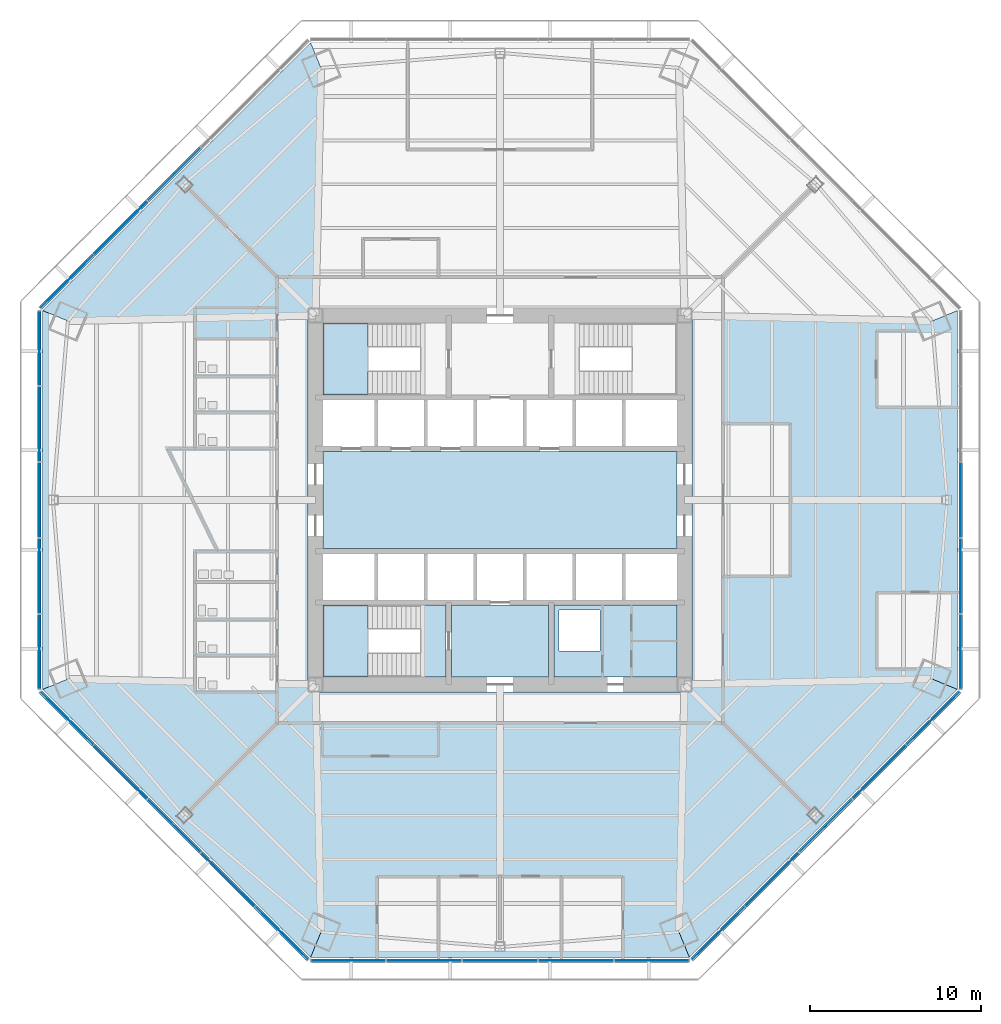
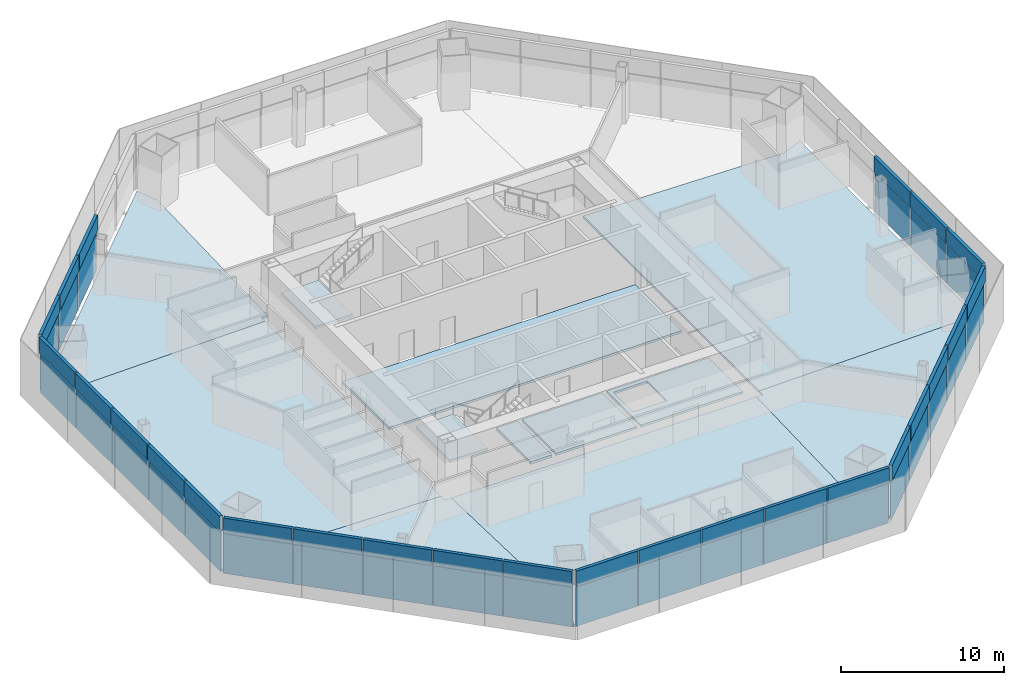
# One storey, part 7 of 15: 52 plates, 12 slabs, 8 elements without a shape of their own.
"""IFC4 building model written with IfcOpenShell, lengths in metres."""

import ifcopenshell
import ifcopenshell.guid

model = None  # the IFC model being written
_history = None  # IfcOwnerHistory: only IFC2X3 demands one
_inside = {}  # id of a spatial element -> (the spatial element, [elements in it])
_under = {}  # id of a project, library or spatial element -> (it, [spatial elements below it])
_declared = {}  # id of a project -> (the project, [libraries it declares])
_typed = {}  # id of a type object -> (the type object, [elements of that type])
_made_of = {}  # id of a material, layer set ... -> (it, [elements and type objects made of it])


def new_model(schema):
    """Start an empty IFC model of exactly this schema.

    Asked for "IFC4X3", IfcOpenShell would pick the latest addendum, in which some entities
    have other attributes; the version numbers below select the first issue.
    IFC2X3 requires an IfcOwnerHistory on every rooted entity: one is made here for all.
    """
    global model, _history
    if schema == "IFC4X3":
        model = ifcopenshell.file(schema_version=(4, 3, 0, 0))
    else:
        model = ifcopenshell.file(schema=schema)
    _inside.clear()
    _under.clear()
    _declared.clear()
    _typed.clear()
    _made_of.clear()
    _history = None
    if model.schema == "IFC2X3":
        org = make("IfcOrganization", Name="unknown")
        user = make(
            "IfcPersonAndOrganization",
            ThePerson=make("IfcPerson", FamilyName="unknown"),
            TheOrganization=org,
        )
        app = make(
            "IfcApplication",
            ApplicationDeveloper=org,
            Version="unknown",
            ApplicationFullName="unknown",
            ApplicationIdentifier="unknown",
        )
        _history = make(
            "IfcOwnerHistory",
            OwningUser=user,
            OwningApplication=app,
            ChangeAction="ADDED",
            CreationDate=0,
        )
    return model


def make(cls, **values):
    """One entity of the class cls with the attributes given. An attribute that is None is left unset."""
    return model.create_entity(
        cls, **{name: value for name, value in values.items() if value is not None}
    )


def rooted(cls, **values):
    """An entity with a GlobalId (a new one), such as an element, a storey or a relation."""
    return make(cls, GlobalId=ifcopenshell.guid.new(), OwnerHistory=_history, **values)


def si_unit(unit_type, name, prefix=None):
    """IfcSIUnit, for example si_unit("LENGTHUNIT", "METRE", prefix="MILLI")."""
    return make("IfcSIUnit", UnitType=unit_type, Prefix=prefix, Name=name)


def assignment(units):
    """IfcUnitAssignment: the units of a project."""
    return None if units is None else make("IfcUnitAssignment", Units=units)


def point(xyz):
    """IfcCartesianPoint."""
    return None if xyz is None else make("IfcCartesianPoint", Coordinates=xyz)


def direction(xyz):
    """IfcDirection."""
    return None if xyz is None else make("IfcDirection", DirectionRatios=xyz)


def frame(location, z_axis=None, x_axis=None):
    """IfcAxis2Placement3D, a coordinate frame: its origin and axes. An axis left out is left unset."""
    return make(
        "IfcAxis2Placement3D",
        Location=point(location),
        Axis=direction(z_axis),
        RefDirection=direction(x_axis),
    )


def frame_2d(location, x_axis=None):
    """IfcAxis2Placement2D, a coordinate frame in the plane: its origin and x axis."""
    return make(
        "IfcAxis2Placement2D", Location=point(location), RefDirection=direction(x_axis)
    )


def origin():
    """The frame at (0, 0, 0) with its axes left unset."""
    return frame((0.0, 0.0, 0.0))


def origin_2d():
    """The frame at (0, 0) in the plane with its x axis left unset."""
    return frame_2d((0.0, 0.0))


def place(relative_to, where):
    """IfcLocalPlacement: puts the frame where relative to a parent placement (None: the world)."""
    return make(
        "IfcLocalPlacement", PlacementRelTo=relative_to, RelativePlacement=where
    )


def context(
    kind, dimensions, precision=None, world=None, true_north=None, identifier=None
):
    """IfcGeometricRepresentationContext, for example the 3D "Model" context."""
    return make(
        "IfcGeometricRepresentationContext",
        ContextIdentifier=identifier,
        ContextType=kind,
        CoordinateSpaceDimension=dimensions,
        Precision=precision,
        WorldCoordinateSystem=world,
        TrueNorth=true_north,
    )


def subcontext(parent, identifier, kind, view, scale=None):
    """IfcGeometricRepresentationSubContext, for example "Body" below "Model"."""
    return make(
        "IfcGeometricRepresentationSubContext",
        ContextIdentifier=identifier,
        ContextType=kind,
        ParentContext=parent,
        TargetScale=scale,
        TargetView=view,
    )


def project(units=None, contexts=None):
    """IfcProject with its units and contexts."""
    return rooted(
        "IfcProject",
        Name="project",
        RepresentationContexts=contexts,
        UnitsInContext=assignment(units),
    )


def spatial(cls, under=None, at=None, **own):
    """A site, building, storey or space (cls), placed at a placement, below another one or the project."""
    s = rooted(cls, ObjectPlacement=at, **own)
    if under is not None:
        _under.setdefault(under.id(), (under, []))[1].append(s)
    return s


def polyline(points):
    """IfcPolyline through the points."""
    return make("IfcPolyline", Points=[point(p) for p in points])


def profile(cls, at=None, kind="AREA", **sizes):
    """A parametric profile (cls). Its sizes go by their IFC names, for example OverallWidth=200.0."""
    return make(cls, ProfileType=kind, Position=at, **sizes)


def rectangle(**sizes):
    """IfcRectangleProfileDef."""
    return profile("IfcRectangleProfileDef", **sizes)


def outline(outer, holes=None, kind="AREA"):
    """IfcArbitraryClosedProfileDef: a profile drawn as a closed curve; with holes, ...WithVoids."""
    if holes is None:
        return make("IfcArbitraryClosedProfileDef", ProfileType=kind, OuterCurve=outer)
    return make(
        "IfcArbitraryProfileDefWithVoids",
        ProfileType=kind,
        OuterCurve=outer,
        InnerCurves=holes,
    )


def extrude(swept, where, along, depth):
    """IfcExtrudedAreaSolid: the profile swept, set in the frame where, extruded along a direction by depth."""
    return make(
        "IfcExtrudedAreaSolid",
        SweptArea=swept,
        Position=where,
        ExtrudedDirection=direction(along),
        Depth=depth,
    )


def shape(context_of_items, identifier, shape_type, items):
    """IfcShapeRepresentation: the items that make up one representation, for example the "Body"."""
    return make(
        "IfcShapeRepresentation",
        ContextOfItems=context_of_items,
        RepresentationIdentifier=identifier,
        RepresentationType=shape_type,
        Items=items,
    )


def source(mapping_origin, context_of_items, identifier, shape_type, items):
    """IfcRepresentationMap: a shape defined once, which mapped items show again and again."""
    return make(
        "IfcRepresentationMap",
        MappingOrigin=mapping_origin,
        MappedRepresentation=shape(context_of_items, identifier, shape_type, items),
    )


def transform(
    local_origin,
    x_axis=None,
    y_axis=None,
    z_axis=None,
    scale=None,
    scale2=None,
    scale3=None,
    uniform=True,
):
    """IfcCartesianTransformationOperator3D, or its non-uniform kind. x_axis, y_axis, z_axis: its Axis1, 2, 3."""
    if uniform:
        return make(
            "IfcCartesianTransformationOperator3D",
            Axis1=direction(x_axis),
            Axis2=direction(y_axis),
            LocalOrigin=point(local_origin),
            Scale=scale,
            Axis3=direction(z_axis),
        )
    return make(
        "IfcCartesianTransformationOperator3DnonUniform",
        Axis1=direction(x_axis),
        Axis2=direction(y_axis),
        LocalOrigin=point(local_origin),
        Scale=scale,
        Axis3=direction(z_axis),
        Scale2=scale2,
        Scale3=scale3,
    )


def mapped(mapping_source, mapping_target):
    """IfcMappedItem: shows the shape of a source again, moved by a transform."""
    return make(
        "IfcMappedItem", MappingSource=mapping_source, MappingTarget=mapping_target
    )


def material(Name=None, Category=None):
    """IfcMaterial."""
    return make("IfcMaterial", Name=Name, Category=Category)


def layer(
    of_material, thickness, ventilated=None, Name=None, Category=None, Priority=None
):
    """IfcMaterialLayer: one layer of a wall or slab, of a material (None: an air gap)."""
    return make(
        "IfcMaterialLayer",
        Material=of_material,
        LayerThickness=thickness,
        IsVentilated=ventilated,
        Name=Name,
        Category=Category,
        Priority=Priority,
    )


def layer_set(layers, Name=None):
    """IfcMaterialLayerSet."""
    return make("IfcMaterialLayerSet", MaterialLayers=layers, LayerSetName=Name)


def made_of(thing, what):
    """Note that an element or type object is made of a material, layer set ...; save() writes the relation."""
    if what is not None:
        _made_of.setdefault(what.id(), (what, []))[1].append(thing)
    return thing


def type_object(cls, material=None, **own):
    """A type object (cls), such as IfcWallType, which elements share."""
    return made_of(rooted(cls, **own), material)


def type_shapes(of_type, sources):
    """Give a type object the sources (RepresentationMaps) that its elements show as mapped items."""
    of_type.RepresentationMaps = sources


def element(
    cls,
    number,
    at=None,
    inside=None,
    cuts=None,
    type_object=None,
    material=None,
    context=None,
    identifier="Body",
    shape_type=None,
    held_by="IfcProductDefinitionShape",
    body=None,
    shapes=None,
    **own,
):
    """One element of the class cls, such as IfcWall. Its Tag is "e" and its number.

    at: its placement. inside: the storey or other place that contains it. cuts: it is an
    opening in that element (IfcRelVoidsElement). A single representation is given by context,
    identifier, shape_type and body (its items); several are given by shapes. held_by: the class
    of the entity that holds the representations. save() writes the other relations.
    """
    e = rooted(cls, Tag="e%d" % number, ObjectPlacement=at, **own)
    if body is not None:
        shapes = [shape(context, identifier, shape_type, body)]
    if shapes is not None:
        e.Representation = make(held_by, Representations=shapes)
    if inside is not None:
        _inside.setdefault(inside.id(), (inside, []))[1].append(e)
    if cuts is not None:
        rooted(
            "IfcRelVoidsElement", RelatingBuildingElement=cuts, RelatedOpeningElement=e
        )
    if type_object is not None:
        _typed.setdefault(type_object.id(), (type_object, []))[1].append(e)
    return made_of(e, material)


def aggregate(whole, parts):
    """IfcRelAggregates: a whole, such as a stair, and the parts it consists of."""
    return rooted("IfcRelAggregates", RelatingObject=whole, RelatedObjects=parts)


def save(model, path):
    """Write the relations noted so far, then the file.

    IfcRelAggregates (storeys below a building ...), IfcRelContainedInSpatialStructure (elements
    in a storey), IfcRelDefinesByType, IfcRelAssociatesMaterial and IfcRelDeclares: one each for
    every whole, place, type object, material and project.
    """
    for whole, parts in _under.values():
        aggregate(whole, parts)
    for where, things in _inside.values():
        rooted(
            "IfcRelContainedInSpatialStructure",
            RelatedElements=things,
            RelatingStructure=where,
        )
    for kind, things in _typed.values():
        rooted("IfcRelDefinesByType", RelatedObjects=things, RelatingType=kind)
    for what, things in _made_of.values():
        rooted("IfcRelAssociatesMaterial", RelatedObjects=things, RelatingMaterial=what)
    for by, libraries in _declared.values():
        rooted("IfcRelDeclares", RelatingContext=by, RelatedDefinitions=libraries)
    model.write(path)


model = new_model("IFC4")

# Units and contexts
model_context = context("Model", 3, precision=1e-05, world=origin(), true_north=direction((0.0, 1.0)))
body_context = subcontext(model_context, "Body", "Model", "MODEL_VIEW")
ifc_project = project(units=[si_unit("LENGTHUNIT", "METRE"), si_unit("AREAUNIT", "SQUARE_METRE"), si_unit("VOLUMEUNIT", "CUBIC_METRE"), si_unit("PLANEANGLEUNIT", "RADIAN"), si_unit("MASSUNIT", "GRAM", prefix="KILO")], contexts=[model_context])

# Site, building, storey
site_placement = place(None, origin())
site = spatial("IfcSite", under=ifc_project, at=site_placement, CompositionType="ELEMENT")
building_placement = place(site_placement, origin())
building = spatial("IfcBuilding", under=site, at=building_placement, Name="Mashrafa Tower", CompositionType="ELEMENT")
storey_placement = place(building_placement, frame((0.0, 0.0, 37.199951171875)))
storey = spatial("IfcBuildingStorey", under=building, at=storey_placement, Name="L07", CompositionType="ELEMENT", Elevation=37.199951171875)

# Slabs
ifc_material_1 = material(Name="Concrete C35/45", Category="concrete")
ifc_layer_1 = layer(ifc_material_1, 0.1650390625)
ifc_layer_set_1 = layer_set([ifc_layer_1], Name="Floor slab 165")
slab_type_1 = type_object("IfcSlabType", Name="Floor slab 165", PredefinedType="FLOOR", material=ifc_layer_set_1)
slab_1_placement = place(storey_placement, frame((0.0, 0.0, -0.1650390625)))
element("IfcSlab", 1, at=slab_1_placement, inside=storey, type_object=slab_type_1, Name="Floor slab L07 east bay", PredefinedType="FLOOR", context=body_context, shape_type="SweptSolid", body=[
    extrude(outline(polyline([(26.762451171875, 11.08544921875), (26.762451171875, -11.08544921875), (26.762451171875, -11.08544921875), (25.288818359375, -10.47509765625), (11.25, -10.789794921875), (11.25, 10.789794921875), (25.288818359375, 10.47509765625), (26.762451171875, 11.08544921875), (26.762451171875, 11.08544921875)])), origin(), (0.0, 0.0, 1.0), 0.1650390625),
])
slab_2_placement = place(storey_placement, frame((0.0, 0.0, -0.1650390625)))
element("IfcSlab", 2, at=slab_2_placement, inside=storey, type_object=slab_type_1, Name="Floor slab L07 north-west bay", PredefinedType="FLOOR", context=body_context, shape_type="SweptSolid", body=[
    extrude(outline(polyline([(-11.08544921875, 26.762451171875), (-10.47509765625, 25.288818359375), (-10.789794921875, 11.25), (-11.25, 11.25), (-11.25, 10.789794921875), (-25.288818359375, 10.47509765625), (-26.762451171875, 11.08544921875), (-11.08544921875, 26.762451171875)])), origin(), (0.0, 0.0, 1.0), 0.1650390625),
])
slab_3_placement = place(storey_placement, frame((0.0, 0.0, -0.1650390625)))
element("IfcSlab", 3, at=slab_3_placement, inside=storey, type_object=slab_type_1, Name="Floor slab L07 west bay", PredefinedType="FLOOR", context=body_context, shape_type="SweptSolid", body=[
    extrude(outline(polyline([(-26.762451171875, -11.08544921875), (-26.762451171875, 11.08544921875), (-26.762451171875, 11.08544921875), (-25.288818359375, 10.47509765625), (-11.25, 10.789794921875), (-11.25, -10.789794921875), (-25.288818359375, -10.47509765625), (-26.762451171875, -11.08544921875), (-26.762451171875, -11.08544921875)])), origin(), (0.0, 0.0, 1.0), 0.1650390625),
])
slab_4_placement = place(storey_placement, frame((0.0, 0.0, -0.1650390625)))
element("IfcSlab", 4, at=slab_4_placement, inside=storey, type_object=slab_type_1, Name="Floor slab L07 south-west bay", PredefinedType="FLOOR", context=body_context, shape_type="SweptSolid", body=[
    extrude(outline(polyline([(-26.762451171875, -11.08544921875), (-25.288818359375, -10.47509765625), (-11.25, -10.789794921875), (-11.25, -11.25), (-10.789794921875, -11.25), (-10.47509765625, -25.288818359375), (-11.08544921875, -26.762451171875), (-26.762451171875, -11.08544921875)])), origin(), (0.0, 0.0, 1.0), 0.1650390625),
])
slab_5_placement = place(storey_placement, frame((0.0, 0.0, -0.1650390625)))
element("IfcSlab", 5, at=slab_5_placement, inside=storey, type_object=slab_type_1, Name="Floor slab L07 south bay", PredefinedType="FLOOR", context=body_context, shape_type="SweptSolid", body=[
    extrude(outline(polyline([(-11.08544921875, -26.762451171875), (-11.08544921875, -26.762451171875), (-10.47509765625, -25.288818359375), (-10.789794921875, -11.25), (10.789794921875, -11.25), (10.47509765625, -25.288818359375), (11.08544921875, -26.762451171875), (11.08544921875, -26.762451171875), (-11.08544921875, -26.762451171875)])), origin(), (0.0, 0.0, 1.0), 0.1650390625),
])
slab_6_placement = place(storey_placement, frame((0.0, 0.0, -0.1650390625)))
element("IfcSlab", 6, at=slab_6_placement, inside=storey, type_object=slab_type_1, Name="Floor slab L07 south-east bay", PredefinedType="FLOOR", context=body_context, shape_type="SweptSolid", body=[
    extrude(outline(polyline([(11.08544921875, -26.762451171875), (10.47509765625, -25.288818359375), (10.789794921875, -11.25), (11.25, -11.25), (11.25, -10.789794921875), (25.288818359375, -10.47509765625), (26.762451171875, -11.08544921875), (11.08544921875, -26.762451171875)])), origin(), (0.0, 0.0, 1.0), 0.1650390625),
])
slab_7_placement = place(storey_placement, frame((0.0, 0.0, -0.1650390625)))
element("IfcSlab", 7, at=slab_7_placement, inside=storey, type_object=slab_type_1, Name="Core floor lift hall L07", PredefinedType="FLOOR", context=body_context, shape_type="SweptSolid", body=[
    extrude(outline(polyline([(-10.35009765625, 2.85009765625), (10.35009765625, 2.85009765625), (10.35009765625, -2.85009765625), (-10.35009765625, -2.85009765625), (-10.35009765625, 2.85009765625)])), origin(), (0.0, 0.0, 1.0), 0.1650390625),
])
slab_8_placement = place(storey_placement, frame((0.0, 0.0, -0.1650390625)))
element("IfcSlab", 8, at=slab_8_placement, inside=storey, type_object=slab_type_1, Name="Core floor riser and electrical band L07", PredefinedType="FLOOR", context=body_context, shape_type="SweptSolid", body=[
    extrude(outline(polyline([(10.35009765625, -6.14990234375), (10.35009765625, -10.35009765625), (3.14990234375, -10.35009765625), (3.14990234375, -6.14990234375), (10.35009765625, -6.14990234375)]), holes=[polyline([(3.449951171875, -8.85009765625), (5.85009765625, -8.85009765625), (5.85009765625, -6.449951171875), (3.449951171875, -6.449951171875), (3.449951171875, -8.85009765625)])]), origin(), (0.0, 0.0, 1.0), 0.1650390625),
])
slab_9_placement = place(storey_placement, frame((0.0, 0.0, -0.1650390625)))
element("IfcSlab", 9, at=slab_9_placement, inside=storey, type_object=slab_type_1, Name="Core floor fire-fighting lobby south L07", PredefinedType="FLOOR", context=body_context, shape_type="SweptSolid", body=[
    extrude(outline(polyline([(2.85009765625, -6.14990234375), (2.85009765625, -10.35009765625), (-2.85009765625, -10.35009765625), (-2.85009765625, -6.14990234375), (2.85009765625, -6.14990234375)])), origin(), (0.0, 0.0, 1.0), 0.1650390625),
])

# Stair, slab
ifc_material_2 = material(Name="Exit stair 1400")
stair_type = type_object("IfcStairType", Name="Exit stair 1400", PredefinedType="HALF_TURN_STAIR", material=ifc_material_2)
stair_1_placement = place(storey_placement, origin())
stair_1 = element("IfcStair", 10, at=stair_1_placement, inside=storey, type_object=stair_type, Name="Stair S1 L07", PredefinedType="HALF_TURN_STAIR")
ifc_material_3 = material(Name="Concrete C32/40", Category="concrete")
ifc_layer_2 = layer(ifc_material_3, 0.199951171875)
ifc_layer_set_2 = layer_set([ifc_layer_2], Name="Stair landing 200")
slab_type_2 = type_object("IfcSlabType", Name="Stair landing 200", PredefinedType="LANDING", material=ifc_layer_set_2)
slab_10_placement = place(storey_placement, frame((0.0, 0.0, 1.900146484375)))
slab_10 = element("IfcSlab", 11, at=slab_10_placement, type_object=slab_type_2, Name="S1 landing 2", PredefinedType="LANDING", context=body_context, shape_type="SweptSolid", body=[
    extrude(outline(polyline([(-10.35009765625, 6.14990234375), (-7.719970703125, 6.14990234375), (-7.719970703125, 10.35009765625), (-10.35009765625, 10.35009765625), (-10.35009765625, 6.14990234375)])), origin(), (0.0, 0.0, 1.0), 0.199951171875),
])
aggregate(stair_1, [slab_10])

# Stair, slabs
stair_2_placement = place(storey_placement, origin())
stair_2 = element("IfcStair", 12, at=stair_2_placement, inside=storey, type_object=stair_type, Name="Stair S3 L07", PredefinedType="HALF_TURN_STAIR")
slab_11_placement = place(storey_placement, frame((0.0, 0.0, -0.199951171875)))
slab_11 = element("IfcSlab", 13, at=slab_11_placement, type_object=slab_type_2, Name="S3 landing 1", PredefinedType="LANDING", context=body_context, shape_type="SweptSolid", body=[
    extrude(outline(polyline([(-4.659912109375, -10.35009765625), (-3.14990234375, -10.35009765625), (-3.14990234375, -6.14990234375), (-4.659912109375, -6.14990234375), (-4.659912109375, -10.35009765625)])), origin(), (0.0, 0.0, 1.0), 0.199951171875),
])
slab_12_placement = place(storey_placement, frame((0.0, 0.0, 1.900146484375)))
slab_12 = element("IfcSlab", 14, at=slab_12_placement, type_object=slab_type_2, Name="S3 landing 2", PredefinedType="LANDING", context=body_context, shape_type="SweptSolid", body=[
    extrude(outline(polyline([(-10.35009765625, -10.35009765625), (-7.719970703125, -10.35009765625), (-7.719970703125, -6.14990234375), (-10.35009765625, -6.14990234375), (-10.35009765625, -10.35009765625)])), origin(), (0.0, 0.0, 1.0), 0.199951171875),
])
aggregate(stair_2, [slab_11, slab_12])

# Curtain wall, plate
ifc_material_4 = material(Name="Unitised aluminium curtain wall", Category="aluminium")
curtain_wall_type = type_object("IfcCurtainWallType", Name="Office curtain wall, zone 1 CW-A 200 deep", PredefinedType="NOTDEFINED", material=ifc_material_4)
curtain_wall_1_placement = place(storey_placement, origin())
curtain_wall_1 = element("IfcCurtainWall", 15, at=curtain_wall_1_placement, inside=storey, type_object=curtain_wall_type, Name="Office curtain wall, zone 1 L07 east", PredefinedType="NOTDEFINED")
ifc_material_5 = material(Name="Insulated double glazing, low-e, neutral", Category="glass")
ifc_layer_3 = layer(ifc_material_5, 0.028076171875)
ifc_layer_set_3 = layer_set([ifc_layer_3], Name="Vision panel CW-A 28")
plate_type_1 = type_object("IfcPlateType", Name="Vision panel CW-A 28", PredefinedType="CURTAIN_PANEL", material=ifc_layer_set_3)
shared_shape_1 = source(origin(), body_context, "Body", "SweptSolid", [
    extrude(rectangle(XDim=4.34912109375, YDim=0.028076171875, at=origin_2d()), origin(), (0.0, 0.0, 1.0), 2.9599609375),
])
plate_1_placement = place(storey_placement, frame((26.96240234375, -8.877197265625, 0.0), z_axis=(0.0, 0.0, 1.0), x_axis=(0.0, 1.0, 0.0)))
plate_1 = element("IfcPlate", 16, at=plate_1_placement, type_object=plate_type_1, Name="CW-A vision panel 1", PredefinedType="CURTAIN_PANEL", context=body_context, shape_type="MappedRepresentation", body=[
    mapped(shared_shape_1, transform((0.0, 0.0, 0.0))),
])

curtain_wall_2_placement = place(storey_placement, origin())
curtain_wall_2 = element("IfcCurtainWall", 17, at=curtain_wall_2_placement, inside=storey, type_object=curtain_wall_type, Name="Office curtain wall, zone 1 L07 north-west", PredefinedType="NOTDEFINED")
plate_2_placement = place(storey_placement, frame((-25.34228515625, 12.7880859375, 0.0), z_axis=(0.0, 0.0, 1.0), x_axis=(-0.707106781187, -0.707106781187, 0.0)))
plate_2 = element("IfcPlate", 18, at=plate_2_placement, type_object=plate_type_1, Name="CW-A vision panel 5", PredefinedType="CURTAIN_PANEL", context=body_context, shape_type="MappedRepresentation", body=[
    mapped(shared_shape_1, transform((0.0, 0.0, 0.0))),
])

# Curtain wall, plates
curtain_wall_3_placement = place(storey_placement, origin())
curtain_wall_3 = element("IfcCurtainWall", 19, at=curtain_wall_3_placement, inside=storey, type_object=curtain_wall_type, Name="Office curtain wall, zone 1 L07 west", PredefinedType="NOTDEFINED")
plate_3_placement = place(storey_placement, frame((-26.96240234375, 8.877197265625, 0.0), z_axis=(0.0, 0.0, 1.0), x_axis=(0.0, -1.0, 0.0)))
plate_3 = element("IfcPlate", 20, at=plate_3_placement, type_object=plate_type_1, Name="CW-A vision panel 1", PredefinedType="CURTAIN_PANEL", context=body_context, shape_type="MappedRepresentation", body=[
    mapped(shared_shape_1, transform((0.0, 0.0, 0.0))),
])
plate_4_placement = place(storey_placement, frame((-26.96240234375, -8.877197265625, 0.0), z_axis=(0.0, 0.0, 1.0), x_axis=(0.0, -1.0, 0.0)))
plate_4 = element("IfcPlate", 21, at=plate_4_placement, type_object=plate_type_1, Name="CW-A vision panel 5", PredefinedType="CURTAIN_PANEL", context=body_context, shape_type="MappedRepresentation", body=[
    mapped(shared_shape_1, transform((0.0, 0.0, 0.0))),
])

curtain_wall_4_placement = place(storey_placement, origin())
curtain_wall_4 = element("IfcCurtainWall", 22, at=curtain_wall_4_placement, inside=storey, type_object=curtain_wall_type, Name="Office curtain wall, zone 1 L07 south-west", PredefinedType="NOTDEFINED")
plate_5_placement = place(storey_placement, frame((-25.34228515625, -12.7880859375, 0.0), z_axis=(0.0, 0.0, 1.0), x_axis=(0.707106781187, -0.707106781187, 0.0)))
plate_5 = element("IfcPlate", 23, at=plate_5_placement, type_object=plate_type_1, Name="CW-A vision panel 1", PredefinedType="CURTAIN_PANEL", context=body_context, shape_type="MappedRepresentation", body=[
    mapped(shared_shape_1, transform((0.0, 0.0, 0.0))),
])
plate_6_placement = place(storey_placement, frame((-12.7880859375, -25.34228515625, 0.0), z_axis=(0.0, 0.0, 1.0), x_axis=(0.707106781187, -0.707106781187, 0.0)))
plate_6 = element("IfcPlate", 24, at=plate_6_placement, type_object=plate_type_1, Name="CW-A vision panel 5", PredefinedType="CURTAIN_PANEL", context=body_context, shape_type="MappedRepresentation", body=[
    mapped(shared_shape_1, transform((0.0, 0.0, 0.0))),
])

curtain_wall_5_placement = place(storey_placement, origin())
curtain_wall_5 = element("IfcCurtainWall", 25, at=curtain_wall_5_placement, inside=storey, type_object=curtain_wall_type, Name="Office curtain wall, zone 1 L07 south", PredefinedType="NOTDEFINED")
plate_7_placement = place(storey_placement, frame((-8.877197265625, -26.96240234375, 0.0), z_axis=(0.0, 0.0, 1.0), x_axis=(1.0, 0.0, 0.0)))
plate_7 = element("IfcPlate", 26, at=plate_7_placement, type_object=plate_type_1, Name="CW-A vision panel 1", PredefinedType="CURTAIN_PANEL", context=body_context, shape_type="MappedRepresentation", body=[
    mapped(shared_shape_1, transform((0.0, 0.0, 0.0))),
])
plate_8_placement = place(storey_placement, frame((8.877197265625, -26.96240234375, 0.0), z_axis=(0.0, 0.0, 1.0), x_axis=(1.0, 0.0, 0.0)))
plate_8 = element("IfcPlate", 27, at=plate_8_placement, type_object=plate_type_1, Name="CW-A vision panel 5", PredefinedType="CURTAIN_PANEL", context=body_context, shape_type="MappedRepresentation", body=[
    mapped(shared_shape_1, transform((0.0, 0.0, 0.0))),
])

curtain_wall_6_placement = place(storey_placement, origin())
curtain_wall_6 = element("IfcCurtainWall", 28, at=curtain_wall_6_placement, inside=storey, type_object=curtain_wall_type, Name="Office curtain wall, zone 1 L07 south-east", PredefinedType="NOTDEFINED")
plate_9_placement = place(storey_placement, frame((12.7880859375, -25.34228515625, 0.0), z_axis=(0.0, 0.0, 1.0), x_axis=(0.707106781187, 0.707106781187, 0.0)))
plate_9 = element("IfcPlate", 29, at=plate_9_placement, type_object=plate_type_1, Name="CW-A vision panel 1", PredefinedType="CURTAIN_PANEL", context=body_context, shape_type="MappedRepresentation", body=[
    mapped(shared_shape_1, transform((0.0, 0.0, 0.0))),
])
plate_10_placement = place(storey_placement, frame((25.34228515625, -12.7880859375, 0.0), z_axis=(0.0, 0.0, 1.0), x_axis=(0.707106781187, 0.707106781187, 0.0)))
plate_10 = element("IfcPlate", 30, at=plate_10_placement, type_object=plate_type_1, Name="CW-A vision panel 5", PredefinedType="CURTAIN_PANEL", context=body_context, shape_type="MappedRepresentation", body=[
    mapped(shared_shape_1, transform((0.0, 0.0, 0.0))),
])

# Plate
ifc_material_6 = material(Name="Insulated aluminium spandrel panel", Category="aluminium")
ifc_layer_4 = layer(ifc_material_6, 0.219970703125)
ifc_layer_set_4 = layer_set([ifc_layer_4], Name="Spandrel panel CW-A 220")
plate_type_2 = type_object("IfcPlateType", Name="Spandrel panel CW-A 220", PredefinedType="CURTAIN_PANEL", material=ifc_layer_set_4)
shared_shape_2 = source(origin(), body_context, "Body", "SweptSolid", [
    extrude(rectangle(XDim=4.34912109375, YDim=0.219970703125, at=origin_2d()), origin(), (0.0, 0.0, 1.0), 1.159912109375),
])
plate_11_placement = place(storey_placement, frame((26.96240234375, -8.877197265625, 3.0400390625), z_axis=(0.0, 0.0, 1.0), x_axis=(0.0, 1.0, 0.0)))
plate_11 = element("IfcPlate", 31, at=plate_11_placement, type_object=plate_type_2, Name="CW-A spandrel panel 1", PredefinedType="CURTAIN_PANEL", context=body_context, shape_type="MappedRepresentation", body=[
    mapped(shared_shape_2, transform((0.0, 0.0, 0.0))),
])

plate_12_placement = place(storey_placement, frame((-25.34228515625, 12.7880859375, 3.0400390625), z_axis=(0.0, 0.0, 1.0), x_axis=(-0.707106781187, -0.707106781187, 0.0)))
plate_12 = element("IfcPlate", 32, at=plate_12_placement, type_object=plate_type_2, Name="CW-A spandrel panel 5", PredefinedType="CURTAIN_PANEL", context=body_context, shape_type="MappedRepresentation", body=[
    mapped(shared_shape_2, transform((0.0, 0.0, 0.0))),
])

plate_13_placement = place(storey_placement, frame((-26.96240234375, 8.877197265625, 3.0400390625), z_axis=(0.0, 0.0, 1.0), x_axis=(0.0, -1.0, 0.0)))
plate_13 = element("IfcPlate", 33, at=plate_13_placement, type_object=plate_type_2, Name="CW-A spandrel panel 1", PredefinedType="CURTAIN_PANEL", context=body_context, shape_type="MappedRepresentation", body=[
    mapped(shared_shape_2, transform((0.0, 0.0, 0.0))),
])

plate_14_placement = place(storey_placement, frame((-26.96240234375, -8.877197265625, 3.0400390625), z_axis=(0.0, 0.0, 1.0), x_axis=(0.0, -1.0, 0.0)))
plate_14 = element("IfcPlate", 34, at=plate_14_placement, type_object=plate_type_2, Name="CW-A spandrel panel 5", PredefinedType="CURTAIN_PANEL", context=body_context, shape_type="MappedRepresentation", body=[
    mapped(shared_shape_2, transform((0.0, 0.0, 0.0))),
])

plate_15_placement = place(storey_placement, frame((-25.34228515625, -12.7880859375, 3.0400390625), z_axis=(0.0, 0.0, 1.0), x_axis=(0.707106781187, -0.707106781187, 0.0)))
plate_15 = element("IfcPlate", 35, at=plate_15_placement, type_object=plate_type_2, Name="CW-A spandrel panel 1", PredefinedType="CURTAIN_PANEL", context=body_context, shape_type="MappedRepresentation", body=[
    mapped(shared_shape_2, transform((0.0, 0.0, 0.0))),
])

plate_16_placement = place(storey_placement, frame((-12.7880859375, -25.34228515625, 3.0400390625), z_axis=(0.0, 0.0, 1.0), x_axis=(0.707106781187, -0.707106781187, 0.0)))
plate_16 = element("IfcPlate", 36, at=plate_16_placement, type_object=plate_type_2, Name="CW-A spandrel panel 5", PredefinedType="CURTAIN_PANEL", context=body_context, shape_type="MappedRepresentation", body=[
    mapped(shared_shape_2, transform((0.0, 0.0, 0.0))),
])

plate_17_placement = place(storey_placement, frame((-8.877197265625, -26.96240234375, 3.0400390625), z_axis=(0.0, 0.0, 1.0), x_axis=(1.0, 0.0, 0.0)))
plate_17 = element("IfcPlate", 37, at=plate_17_placement, type_object=plate_type_2, Name="CW-A spandrel panel 1", PredefinedType="CURTAIN_PANEL", context=body_context, shape_type="MappedRepresentation", body=[
    mapped(shared_shape_2, transform((0.0, 0.0, 0.0))),
])

plate_18_placement = place(storey_placement, frame((8.877197265625, -26.96240234375, 3.0400390625), z_axis=(0.0, 0.0, 1.0), x_axis=(1.0, 0.0, 0.0)))
plate_18 = element("IfcPlate", 38, at=plate_18_placement, type_object=plate_type_2, Name="CW-A spandrel panel 5", PredefinedType="CURTAIN_PANEL", context=body_context, shape_type="MappedRepresentation", body=[
    mapped(shared_shape_2, transform((0.0, 0.0, 0.0))),
])

plate_19_placement = place(storey_placement, frame((12.7880859375, -25.34228515625, 3.0400390625), z_axis=(0.0, 0.0, 1.0), x_axis=(0.707106781187, 0.707106781187, 0.0)))
plate_19 = element("IfcPlate", 39, at=plate_19_placement, type_object=plate_type_2, Name="CW-A spandrel panel 1", PredefinedType="CURTAIN_PANEL", context=body_context, shape_type="MappedRepresentation", body=[
    mapped(shared_shape_2, transform((0.0, 0.0, 0.0))),
])

plate_20_placement = place(storey_placement, frame((25.34228515625, -12.7880859375, 3.0400390625), z_axis=(0.0, 0.0, 1.0), x_axis=(0.707106781187, 0.707106781187, 0.0)))
plate_20 = element("IfcPlate", 40, at=plate_20_placement, type_object=plate_type_2, Name="CW-A spandrel panel 5", PredefinedType="CURTAIN_PANEL", context=body_context, shape_type="MappedRepresentation", body=[
    mapped(shared_shape_2, transform((0.0, 0.0, 0.0))),
])

shared_shape_3 = source(origin(), body_context, "Body", "SweptSolid", [
    extrude(rectangle(XDim=4.381591796875, YDim=0.028076171875, at=origin_2d()), origin(), (0.0, 0.0, 1.0), 2.9599609375),
])
type_shapes(plate_type_1, [shared_shape_1, shared_shape_3])
plate_21_placement = place(storey_placement, frame((26.96240234375, -4.44677734375, 0.0), z_axis=(0.0, 0.0, 1.0), x_axis=(0.0, 1.0, 0.0)))
plate_21 = element("IfcPlate", 41, at=plate_21_placement, type_object=plate_type_1, Name="CW-A vision panel 2", PredefinedType="CURTAIN_PANEL", context=body_context, shape_type="MappedRepresentation", body=[
    mapped(shared_shape_3, transform((0.0, 0.0, 0.0))),
])

plate_22_placement = place(storey_placement, frame((26.96240234375, 0.0, 0.0), z_axis=(0.0, 0.0, 1.0), x_axis=(0.0, 1.0, 0.0)))
plate_22 = element("IfcPlate", 42, at=plate_22_placement, type_object=plate_type_1, Name="CW-A vision panel 3", PredefinedType="CURTAIN_PANEL", context=body_context, shape_type="MappedRepresentation", body=[
    mapped(shared_shape_3, transform((0.0, 0.0, 0.0))),
])

plate_23_placement = place(storey_placement, frame((-19.065185546875, 19.065185546875, 0.0), z_axis=(0.0, 0.0, 1.0), x_axis=(-0.707106781187, -0.707106781187, 0.0)))
plate_23 = element("IfcPlate", 43, at=plate_23_placement, type_object=plate_type_1, Name="CW-A vision panel 3", PredefinedType="CURTAIN_PANEL", context=body_context, shape_type="MappedRepresentation", body=[
    mapped(shared_shape_3, transform((0.0, 0.0, 0.0))),
])

plate_24_placement = place(storey_placement, frame((-22.20947265625, 15.9208984375, 0.0), z_axis=(0.0, 0.0, 1.0), x_axis=(-0.707106781187, -0.707106781187, 0.0)))
plate_24 = element("IfcPlate", 44, at=plate_24_placement, type_object=plate_type_1, Name="CW-A vision panel 4", PredefinedType="CURTAIN_PANEL", context=body_context, shape_type="MappedRepresentation", body=[
    mapped(shared_shape_3, transform((0.0, 0.0, 0.0))),
])

plate_25_placement = place(storey_placement, frame((-26.96240234375, 4.44677734375, 0.0), z_axis=(0.0, 0.0, 1.0), x_axis=(0.0, -1.0, 0.0)))
plate_25 = element("IfcPlate", 45, at=plate_25_placement, type_object=plate_type_1, Name="CW-A vision panel 2", PredefinedType="CURTAIN_PANEL", context=body_context, shape_type="MappedRepresentation", body=[
    mapped(shared_shape_3, transform((0.0, 0.0, 0.0))),
])

plate_26_placement = place(storey_placement, frame((-26.96240234375, 0.0, 0.0), z_axis=(0.0, 0.0, 1.0), x_axis=(0.0, -1.0, 0.0)))
plate_26 = element("IfcPlate", 46, at=plate_26_placement, type_object=plate_type_1, Name="CW-A vision panel 3", PredefinedType="CURTAIN_PANEL", context=body_context, shape_type="MappedRepresentation", body=[
    mapped(shared_shape_3, transform((0.0, 0.0, 0.0))),
])

plate_27_placement = place(storey_placement, frame((-26.96240234375, -4.44677734375, 0.0), z_axis=(0.0, 0.0, 1.0), x_axis=(0.0, -1.0, 0.0)))
plate_27 = element("IfcPlate", 47, at=plate_27_placement, type_object=plate_type_1, Name="CW-A vision panel 4", PredefinedType="CURTAIN_PANEL", context=body_context, shape_type="MappedRepresentation", body=[
    mapped(shared_shape_3, transform((0.0, 0.0, 0.0))),
])

plate_28_placement = place(storey_placement, frame((-22.20947265625, -15.9208984375, 0.0), z_axis=(0.0, 0.0, 1.0), x_axis=(0.707106781187, -0.707106781187, 0.0)))
plate_28 = element("IfcPlate", 48, at=plate_28_placement, type_object=plate_type_1, Name="CW-A vision panel 2", PredefinedType="CURTAIN_PANEL", context=body_context, shape_type="MappedRepresentation", body=[
    mapped(shared_shape_3, transform((0.0, 0.0, 0.0))),
])

plate_29_placement = place(storey_placement, frame((-19.065185546875, -19.065185546875, 0.0), z_axis=(0.0, 0.0, 1.0), x_axis=(0.707106781187, -0.707106781187, 0.0)))
plate_29 = element("IfcPlate", 49, at=plate_29_placement, type_object=plate_type_1, Name="CW-A vision panel 3", PredefinedType="CURTAIN_PANEL", context=body_context, shape_type="MappedRepresentation", body=[
    mapped(shared_shape_3, transform((0.0, 0.0, 0.0))),
])

plate_30_placement = place(storey_placement, frame((-15.9208984375, -22.20947265625, 0.0), z_axis=(0.0, 0.0, 1.0), x_axis=(0.707106781187, -0.707106781187, 0.0)))
plate_30 = element("IfcPlate", 50, at=plate_30_placement, type_object=plate_type_1, Name="CW-A vision panel 4", PredefinedType="CURTAIN_PANEL", context=body_context, shape_type="MappedRepresentation", body=[
    mapped(shared_shape_3, transform((0.0, 0.0, 0.0))),
])

plate_31_placement = place(storey_placement, frame((-4.44677734375, -26.96240234375, 0.0), z_axis=(0.0, 0.0, 1.0), x_axis=(1.0, 0.0, 0.0)))
plate_31 = element("IfcPlate", 51, at=plate_31_placement, type_object=plate_type_1, Name="CW-A vision panel 2", PredefinedType="CURTAIN_PANEL", context=body_context, shape_type="MappedRepresentation", body=[
    mapped(shared_shape_3, transform((0.0, 0.0, 0.0))),
])

plate_32_placement = place(storey_placement, frame((0.0, -26.96240234375, 0.0), z_axis=(0.0, 0.0, 1.0), x_axis=(1.0, 0.0, 0.0)))
plate_32 = element("IfcPlate", 52, at=plate_32_placement, type_object=plate_type_1, Name="CW-A vision panel 3", PredefinedType="CURTAIN_PANEL", context=body_context, shape_type="MappedRepresentation", body=[
    mapped(shared_shape_3, transform((0.0, 0.0, 0.0))),
])

plate_33_placement = place(storey_placement, frame((4.44677734375, -26.96240234375, 0.0), z_axis=(0.0, 0.0, 1.0), x_axis=(1.0, 0.0, 0.0)))
plate_33 = element("IfcPlate", 53, at=plate_33_placement, type_object=plate_type_1, Name="CW-A vision panel 4", PredefinedType="CURTAIN_PANEL", context=body_context, shape_type="MappedRepresentation", body=[
    mapped(shared_shape_3, transform((0.0, 0.0, 0.0))),
])

plate_34_placement = place(storey_placement, frame((15.9208984375, -22.20947265625, 0.0), z_axis=(0.0, 0.0, 1.0), x_axis=(0.707106781187, 0.707106781187, 0.0)))
plate_34 = element("IfcPlate", 54, at=plate_34_placement, type_object=plate_type_1, Name="CW-A vision panel 2", PredefinedType="CURTAIN_PANEL", context=body_context, shape_type="MappedRepresentation", body=[
    mapped(shared_shape_3, transform((0.0, 0.0, 0.0))),
])

plate_35_placement = place(storey_placement, frame((19.065185546875, -19.065185546875, 0.0), z_axis=(0.0, 0.0, 1.0), x_axis=(0.707106781187, 0.707106781187, 0.0)))
plate_35 = element("IfcPlate", 55, at=plate_35_placement, type_object=plate_type_1, Name="CW-A vision panel 3", PredefinedType="CURTAIN_PANEL", context=body_context, shape_type="MappedRepresentation", body=[
    mapped(shared_shape_3, transform((0.0, 0.0, 0.0))),
])

plate_36_placement = place(storey_placement, frame((22.20947265625, -15.9208984375, 0.0), z_axis=(0.0, 0.0, 1.0), x_axis=(0.707106781187, 0.707106781187, 0.0)))
plate_36 = element("IfcPlate", 56, at=plate_36_placement, type_object=plate_type_1, Name="CW-A vision panel 4", PredefinedType="CURTAIN_PANEL", context=body_context, shape_type="MappedRepresentation", body=[
    mapped(shared_shape_3, transform((0.0, 0.0, 0.0))),
])

shared_shape_4 = source(origin(), body_context, "Body", "SweptSolid", [
    extrude(rectangle(XDim=4.381591796875, YDim=0.219970703125, at=origin_2d()), origin(), (0.0, 0.0, 1.0), 1.159912109375),
])
type_shapes(plate_type_2, [shared_shape_2, shared_shape_4])
plate_37_placement = place(storey_placement, frame((26.96240234375, -4.44677734375, 3.0400390625), z_axis=(0.0, 0.0, 1.0), x_axis=(0.0, 1.0, 0.0)))
plate_37 = element("IfcPlate", 57, at=plate_37_placement, type_object=plate_type_2, Name="CW-A spandrel panel 2", PredefinedType="CURTAIN_PANEL", context=body_context, shape_type="MappedRepresentation", body=[
    mapped(shared_shape_4, transform((0.0, 0.0, 0.0))),
])

plate_38_placement = place(storey_placement, frame((26.96240234375, 0.0, 3.0400390625), z_axis=(0.0, 0.0, 1.0), x_axis=(0.0, 1.0, 0.0)))
plate_38 = element("IfcPlate", 58, at=plate_38_placement, type_object=plate_type_2, Name="CW-A spandrel panel 3", PredefinedType="CURTAIN_PANEL", context=body_context, shape_type="MappedRepresentation", body=[
    mapped(shared_shape_4, transform((0.0, 0.0, 0.0))),
])

aggregate(curtain_wall_1, [plate_1, plate_11, plate_21, plate_37, plate_22, plate_38])

plate_39_placement = place(storey_placement, frame((-19.065185546875, 19.065185546875, 3.0400390625), z_axis=(0.0, 0.0, 1.0), x_axis=(-0.707106781187, -0.707106781187, 0.0)))
plate_39 = element("IfcPlate", 59, at=plate_39_placement, type_object=plate_type_2, Name="CW-A spandrel panel 3", PredefinedType="CURTAIN_PANEL", context=body_context, shape_type="MappedRepresentation", body=[
    mapped(shared_shape_4, transform((0.0, 0.0, 0.0))),
])

plate_40_placement = place(storey_placement, frame((-22.20947265625, 15.9208984375, 3.0400390625), z_axis=(0.0, 0.0, 1.0), x_axis=(-0.707106781187, -0.707106781187, 0.0)))
plate_40 = element("IfcPlate", 60, at=plate_40_placement, type_object=plate_type_2, Name="CW-A spandrel panel 4", PredefinedType="CURTAIN_PANEL", context=body_context, shape_type="MappedRepresentation", body=[
    mapped(shared_shape_4, transform((0.0, 0.0, 0.0))),
])

aggregate(curtain_wall_2, [plate_23, plate_39, plate_24, plate_40, plate_2, plate_12])

plate_41_placement = place(storey_placement, frame((-26.96240234375, 4.44677734375, 3.0400390625), z_axis=(0.0, 0.0, 1.0), x_axis=(0.0, -1.0, 0.0)))
plate_41 = element("IfcPlate", 61, at=plate_41_placement, type_object=plate_type_2, Name="CW-A spandrel panel 2", PredefinedType="CURTAIN_PANEL", context=body_context, shape_type="MappedRepresentation", body=[
    mapped(shared_shape_4, transform((0.0, 0.0, 0.0))),
])

plate_42_placement = place(storey_placement, frame((-26.96240234375, 0.0, 3.0400390625), z_axis=(0.0, 0.0, 1.0), x_axis=(0.0, -1.0, 0.0)))
plate_42 = element("IfcPlate", 62, at=plate_42_placement, type_object=plate_type_2, Name="CW-A spandrel panel 3", PredefinedType="CURTAIN_PANEL", context=body_context, shape_type="MappedRepresentation", body=[
    mapped(shared_shape_4, transform((0.0, 0.0, 0.0))),
])

plate_43_placement = place(storey_placement, frame((-26.96240234375, -4.44677734375, 3.0400390625), z_axis=(0.0, 0.0, 1.0), x_axis=(0.0, -1.0, 0.0)))
plate_43 = element("IfcPlate", 63, at=plate_43_placement, type_object=plate_type_2, Name="CW-A spandrel panel 4", PredefinedType="CURTAIN_PANEL", context=body_context, shape_type="MappedRepresentation", body=[
    mapped(shared_shape_4, transform((0.0, 0.0, 0.0))),
])

aggregate(curtain_wall_3, [plate_3, plate_13, plate_25, plate_41, plate_26, plate_42, plate_27, plate_43, plate_4, plate_14])

plate_44_placement = place(storey_placement, frame((-22.20947265625, -15.9208984375, 3.0400390625), z_axis=(0.0, 0.0, 1.0), x_axis=(0.707106781187, -0.707106781187, 0.0)))
plate_44 = element("IfcPlate", 64, at=plate_44_placement, type_object=plate_type_2, Name="CW-A spandrel panel 2", PredefinedType="CURTAIN_PANEL", context=body_context, shape_type="MappedRepresentation", body=[
    mapped(shared_shape_4, transform((0.0, 0.0, 0.0))),
])

plate_45_placement = place(storey_placement, frame((-19.065185546875, -19.065185546875, 3.0400390625), z_axis=(0.0, 0.0, 1.0), x_axis=(0.707106781187, -0.707106781187, 0.0)))
plate_45 = element("IfcPlate", 65, at=plate_45_placement, type_object=plate_type_2, Name="CW-A spandrel panel 3", PredefinedType="CURTAIN_PANEL", context=body_context, shape_type="MappedRepresentation", body=[
    mapped(shared_shape_4, transform((0.0, 0.0, 0.0))),
])

plate_46_placement = place(storey_placement, frame((-15.9208984375, -22.20947265625, 3.0400390625), z_axis=(0.0, 0.0, 1.0), x_axis=(0.707106781187, -0.707106781187, 0.0)))
plate_46 = element("IfcPlate", 66, at=plate_46_placement, type_object=plate_type_2, Name="CW-A spandrel panel 4", PredefinedType="CURTAIN_PANEL", context=body_context, shape_type="MappedRepresentation", body=[
    mapped(shared_shape_4, transform((0.0, 0.0, 0.0))),
])

aggregate(curtain_wall_4, [plate_5, plate_15, plate_28, plate_44, plate_29, plate_45, plate_30, plate_46, plate_6, plate_16])

plate_47_placement = place(storey_placement, frame((-4.44677734375, -26.96240234375, 3.0400390625), z_axis=(0.0, 0.0, 1.0), x_axis=(1.0, 0.0, 0.0)))
plate_47 = element("IfcPlate", 67, at=plate_47_placement, type_object=plate_type_2, Name="CW-A spandrel panel 2", PredefinedType="CURTAIN_PANEL", context=body_context, shape_type="MappedRepresentation", body=[
    mapped(shared_shape_4, transform((0.0, 0.0, 0.0))),
])

plate_48_placement = place(storey_placement, frame((0.0, -26.96240234375, 3.0400390625), z_axis=(0.0, 0.0, 1.0), x_axis=(1.0, 0.0, 0.0)))
plate_48 = element("IfcPlate", 68, at=plate_48_placement, type_object=plate_type_2, Name="CW-A spandrel panel 3", PredefinedType="CURTAIN_PANEL", context=body_context, shape_type="MappedRepresentation", body=[
    mapped(shared_shape_4, transform((0.0, 0.0, 0.0))),
])

plate_49_placement = place(storey_placement, frame((4.44677734375, -26.96240234375, 3.0400390625), z_axis=(0.0, 0.0, 1.0), x_axis=(1.0, 0.0, 0.0)))
plate_49 = element("IfcPlate", 69, at=plate_49_placement, type_object=plate_type_2, Name="CW-A spandrel panel 4", PredefinedType="CURTAIN_PANEL", context=body_context, shape_type="MappedRepresentation", body=[
    mapped(shared_shape_4, transform((0.0, 0.0, 0.0))),
])

aggregate(curtain_wall_5, [plate_7, plate_17, plate_31, plate_47, plate_32, plate_48, plate_33, plate_49, plate_8, plate_18])

plate_50_placement = place(storey_placement, frame((15.9208984375, -22.20947265625, 3.0400390625), z_axis=(0.0, 0.0, 1.0), x_axis=(0.707106781187, 0.707106781187, 0.0)))
plate_50 = element("IfcPlate", 70, at=plate_50_placement, type_object=plate_type_2, Name="CW-A spandrel panel 2", PredefinedType="CURTAIN_PANEL", context=body_context, shape_type="MappedRepresentation", body=[
    mapped(shared_shape_4, transform((0.0, 0.0, 0.0))),
])

plate_51_placement = place(storey_placement, frame((19.065185546875, -19.065185546875, 3.0400390625), z_axis=(0.0, 0.0, 1.0), x_axis=(0.707106781187, 0.707106781187, 0.0)))
plate_51 = element("IfcPlate", 71, at=plate_51_placement, type_object=plate_type_2, Name="CW-A spandrel panel 3", PredefinedType="CURTAIN_PANEL", context=body_context, shape_type="MappedRepresentation", body=[
    mapped(shared_shape_4, transform((0.0, 0.0, 0.0))),
])

plate_52_placement = place(storey_placement, frame((22.20947265625, -15.9208984375, 3.0400390625), z_axis=(0.0, 0.0, 1.0), x_axis=(0.707106781187, 0.707106781187, 0.0)))
plate_52 = element("IfcPlate", 72, at=plate_52_placement, type_object=plate_type_2, Name="CW-A spandrel panel 4", PredefinedType="CURTAIN_PANEL", context=body_context, shape_type="MappedRepresentation", body=[
    mapped(shared_shape_4, transform((0.0, 0.0, 0.0))),
])

aggregate(curtain_wall_6, [plate_9, plate_19, plate_34, plate_50, plate_35, plate_51, plate_36, plate_52, plate_10, plate_20])

save(model, "model.ifc")
